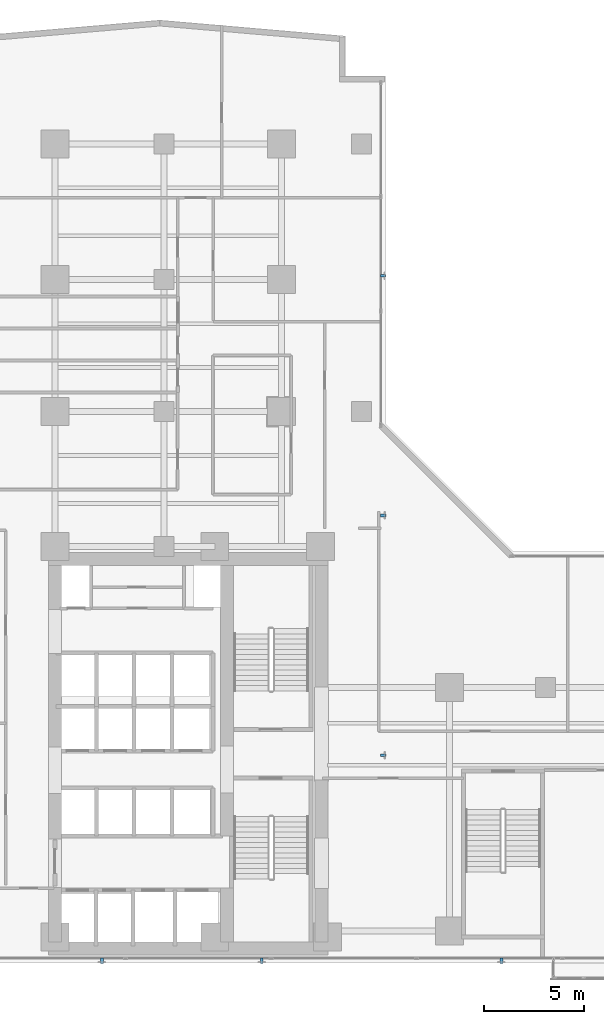
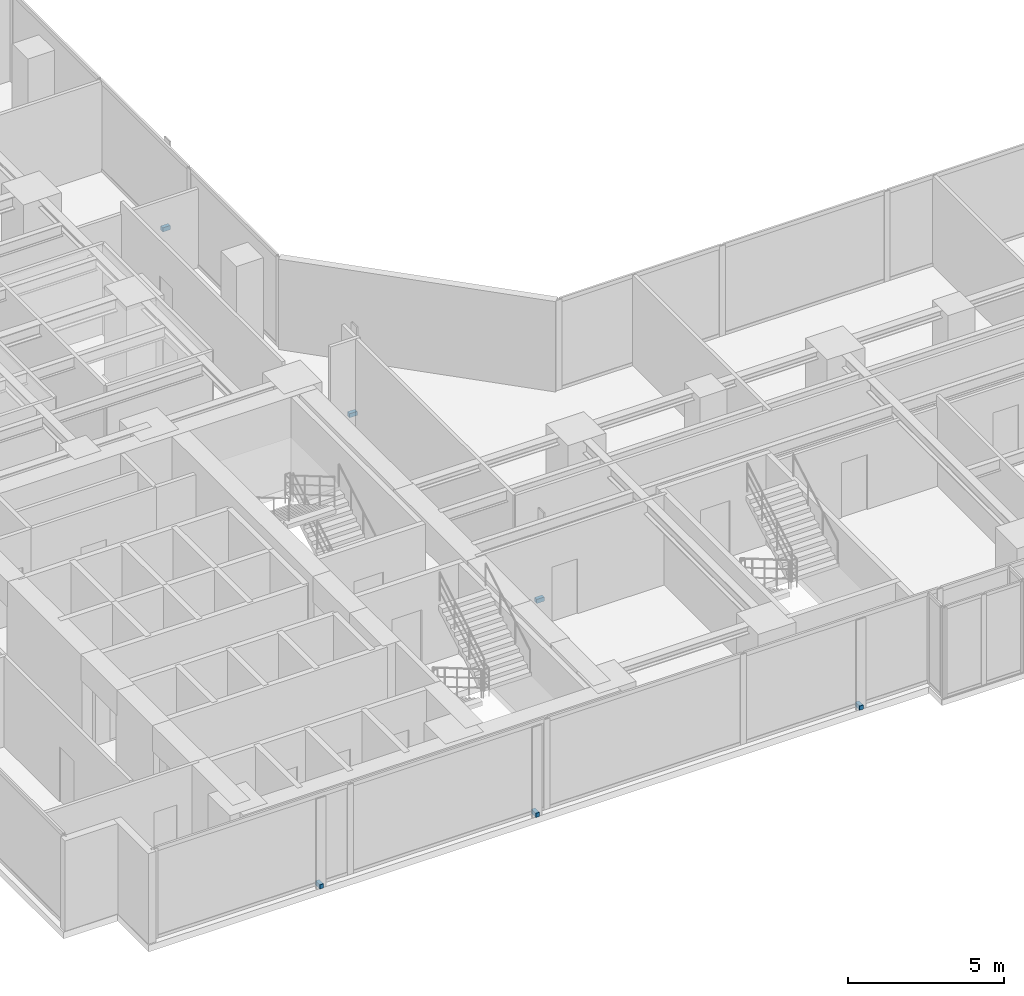
# One storey, part 24 of 28: 6 discrete accessories.
"""IFC4 building model written with IfcOpenShell, lengths in metres."""

import ifcopenshell
import ifcopenshell.guid

model = None  # the IFC model being written
_history = None  # IfcOwnerHistory: only IFC2X3 demands one
_inside = {}  # id of a spatial element -> (the spatial element, [elements in it])
_under = {}  # id of a project, library or spatial element -> (it, [spatial elements below it])
_declared = {}  # id of a project -> (the project, [libraries it declares])
_typed = {}  # id of a type object -> (the type object, [elements of that type])
_made_of = {}  # id of a material, layer set ... -> (it, [elements and type objects made of it])


def new_model(schema):
    """Start an empty IFC model of exactly this schema.

    Asked for "IFC4X3", IfcOpenShell would pick the latest addendum, in which some entities
    have other attributes; the version numbers below select the first issue.
    IFC2X3 requires an IfcOwnerHistory on every rooted entity: one is made here for all.
    """
    global model, _history
    if schema == "IFC4X3":
        model = ifcopenshell.file(schema_version=(4, 3, 0, 0))
    else:
        model = ifcopenshell.file(schema=schema)
    _inside.clear()
    _under.clear()
    _declared.clear()
    _typed.clear()
    _made_of.clear()
    _history = None
    if model.schema == "IFC2X3":
        org = make("IfcOrganization", Name="unknown")
        user = make(
            "IfcPersonAndOrganization",
            ThePerson=make("IfcPerson", FamilyName="unknown"),
            TheOrganization=org,
        )
        app = make(
            "IfcApplication",
            ApplicationDeveloper=org,
            Version="unknown",
            ApplicationFullName="unknown",
            ApplicationIdentifier="unknown",
        )
        _history = make(
            "IfcOwnerHistory",
            OwningUser=user,
            OwningApplication=app,
            ChangeAction="ADDED",
            CreationDate=0,
        )
    return model


def make(cls, **values):
    """One entity of the class cls with the attributes given. An attribute that is None is left unset."""
    return model.create_entity(
        cls, **{name: value for name, value in values.items() if value is not None}
    )


def rooted(cls, **values):
    """An entity with a GlobalId (a new one), such as an element, a storey or a relation."""
    return make(cls, GlobalId=ifcopenshell.guid.new(), OwnerHistory=_history, **values)


def si_unit(unit_type, name, prefix=None):
    """IfcSIUnit, for example si_unit("LENGTHUNIT", "METRE", prefix="MILLI")."""
    return make("IfcSIUnit", UnitType=unit_type, Prefix=prefix, Name=name)


def assignment(units):
    """IfcUnitAssignment: the units of a project."""
    return None if units is None else make("IfcUnitAssignment", Units=units)


def point(xyz):
    """IfcCartesianPoint."""
    return None if xyz is None else make("IfcCartesianPoint", Coordinates=xyz)


def direction(xyz):
    """IfcDirection."""
    return None if xyz is None else make("IfcDirection", DirectionRatios=xyz)


def frame(location, z_axis=None, x_axis=None):
    """IfcAxis2Placement3D, a coordinate frame: its origin and axes. An axis left out is left unset."""
    return make(
        "IfcAxis2Placement3D",
        Location=point(location),
        Axis=direction(z_axis),
        RefDirection=direction(x_axis),
    )


def frame_2d(location, x_axis=None):
    """IfcAxis2Placement2D, a coordinate frame in the plane: its origin and x axis."""
    return make(
        "IfcAxis2Placement2D", Location=point(location), RefDirection=direction(x_axis)
    )


def origin():
    """The frame at (0, 0, 0) with its axes left unset."""
    return frame((0.0, 0.0, 0.0))


def origin_with_axes():
    """The frame at (0, 0, 0) with the z axis (0, 0, 1) and the x axis (1, 0, 0) written out."""
    return frame((0.0, 0.0, 0.0), z_axis=(0.0, 0.0, 1.0), x_axis=(1.0, 0.0, 0.0))


def origin_2d():
    """The frame at (0, 0) in the plane with its x axis left unset."""
    return frame_2d((0.0, 0.0))


def place(relative_to, where):
    """IfcLocalPlacement: puts the frame where relative to a parent placement (None: the world)."""
    return make(
        "IfcLocalPlacement", PlacementRelTo=relative_to, RelativePlacement=where
    )


def context(
    kind, dimensions, precision=None, world=None, true_north=None, identifier=None
):
    """IfcGeometricRepresentationContext, for example the 3D "Model" context."""
    return make(
        "IfcGeometricRepresentationContext",
        ContextIdentifier=identifier,
        ContextType=kind,
        CoordinateSpaceDimension=dimensions,
        Precision=precision,
        WorldCoordinateSystem=world,
        TrueNorth=true_north,
    )


def subcontext(parent, identifier, kind, view, scale=None):
    """IfcGeometricRepresentationSubContext, for example "Body" below "Model"."""
    return make(
        "IfcGeometricRepresentationSubContext",
        ContextIdentifier=identifier,
        ContextType=kind,
        ParentContext=parent,
        TargetScale=scale,
        TargetView=view,
    )


def project(units=None, contexts=None):
    """IfcProject with its units and contexts."""
    return rooted(
        "IfcProject",
        Name="project",
        RepresentationContexts=contexts,
        UnitsInContext=assignment(units),
    )


def spatial(cls, under=None, at=None, **own):
    """A site, building, storey or space (cls), placed at a placement, below another one or the project."""
    s = rooted(cls, ObjectPlacement=at, **own)
    if under is not None:
        _under.setdefault(under.id(), (under, []))[1].append(s)
    return s


def profile(cls, at=None, kind="AREA", **sizes):
    """A parametric profile (cls). Its sizes go by their IFC names, for example OverallWidth=200.0."""
    return make(cls, ProfileType=kind, Position=at, **sizes)


def rectangle(**sizes):
    """IfcRectangleProfileDef."""
    return profile("IfcRectangleProfileDef", **sizes)


def extrude(swept, where, along, depth):
    """IfcExtrudedAreaSolid: the profile swept, set in the frame where, extruded along a direction by depth."""
    return make(
        "IfcExtrudedAreaSolid",
        SweptArea=swept,
        Position=where,
        ExtrudedDirection=direction(along),
        Depth=depth,
    )


def shape(context_of_items, identifier, shape_type, items):
    """IfcShapeRepresentation: the items that make up one representation, for example the "Body"."""
    return make(
        "IfcShapeRepresentation",
        ContextOfItems=context_of_items,
        RepresentationIdentifier=identifier,
        RepresentationType=shape_type,
        Items=items,
    )


def source(mapping_origin, context_of_items, identifier, shape_type, items):
    """IfcRepresentationMap: a shape defined once, which mapped items show again and again."""
    return make(
        "IfcRepresentationMap",
        MappingOrigin=mapping_origin,
        MappedRepresentation=shape(context_of_items, identifier, shape_type, items),
    )


def transform(
    local_origin,
    x_axis=None,
    y_axis=None,
    z_axis=None,
    scale=None,
    scale2=None,
    scale3=None,
    uniform=True,
):
    """IfcCartesianTransformationOperator3D, or its non-uniform kind. x_axis, y_axis, z_axis: its Axis1, 2, 3."""
    if uniform:
        return make(
            "IfcCartesianTransformationOperator3D",
            Axis1=direction(x_axis),
            Axis2=direction(y_axis),
            LocalOrigin=point(local_origin),
            Scale=scale,
            Axis3=direction(z_axis),
        )
    return make(
        "IfcCartesianTransformationOperator3DnonUniform",
        Axis1=direction(x_axis),
        Axis2=direction(y_axis),
        LocalOrigin=point(local_origin),
        Scale=scale,
        Axis3=direction(z_axis),
        Scale2=scale2,
        Scale3=scale3,
    )


def mapped(mapping_source, mapping_target):
    """IfcMappedItem: shows the shape of a source again, moved by a transform."""
    return make(
        "IfcMappedItem", MappingSource=mapping_source, MappingTarget=mapping_target
    )


def material(Name=None, Category=None):
    """IfcMaterial."""
    return make("IfcMaterial", Name=Name, Category=Category)


def made_of(thing, what):
    """Note that an element or type object is made of a material, layer set ...; save() writes the relation."""
    if what is not None:
        _made_of.setdefault(what.id(), (what, []))[1].append(thing)
    return thing


def type_object(cls, material=None, **own):
    """A type object (cls), such as IfcWallType, which elements share."""
    return made_of(rooted(cls, **own), material)


def element(
    cls,
    number,
    at=None,
    inside=None,
    cuts=None,
    type_object=None,
    material=None,
    context=None,
    identifier="Body",
    shape_type=None,
    held_by="IfcProductDefinitionShape",
    body=None,
    shapes=None,
    **own,
):
    """One element of the class cls, such as IfcWall. Its Tag is "e" and its number.

    at: its placement. inside: the storey or other place that contains it. cuts: it is an
    opening in that element (IfcRelVoidsElement). A single representation is given by context,
    identifier, shape_type and body (its items); several are given by shapes. held_by: the class
    of the entity that holds the representations. save() writes the other relations.
    """
    e = rooted(cls, Tag="e%d" % number, ObjectPlacement=at, **own)
    if body is not None:
        shapes = [shape(context, identifier, shape_type, body)]
    if shapes is not None:
        e.Representation = make(held_by, Representations=shapes)
    if inside is not None:
        _inside.setdefault(inside.id(), (inside, []))[1].append(e)
    if cuts is not None:
        rooted(
            "IfcRelVoidsElement", RelatingBuildingElement=cuts, RelatedOpeningElement=e
        )
    if type_object is not None:
        _typed.setdefault(type_object.id(), (type_object, []))[1].append(e)
    return made_of(e, material)


def aggregate(whole, parts):
    """IfcRelAggregates: a whole, such as a stair, and the parts it consists of."""
    return rooted("IfcRelAggregates", RelatingObject=whole, RelatedObjects=parts)


def save(model, path):
    """Write the relations noted so far, then the file.

    IfcRelAggregates (storeys below a building ...), IfcRelContainedInSpatialStructure (elements
    in a storey), IfcRelDefinesByType, IfcRelAssociatesMaterial and IfcRelDeclares: one each for
    every whole, place, type object, material and project.
    """
    for whole, parts in _under.values():
        aggregate(whole, parts)
    for where, things in _inside.values():
        rooted(
            "IfcRelContainedInSpatialStructure",
            RelatedElements=things,
            RelatingStructure=where,
        )
    for kind, things in _typed.values():
        rooted("IfcRelDefinesByType", RelatedObjects=things, RelatingType=kind)
    for what, things in _made_of.values():
        rooted("IfcRelAssociatesMaterial", RelatedObjects=things, RelatingMaterial=what)
    for by, libraries in _declared.values():
        rooted("IfcRelDeclares", RelatingContext=by, RelatedDefinitions=libraries)
    model.write(path)


model = new_model("IFC4")

# Units and contexts
model_context = context("Model", 3, precision=1e-05, world=origin(), true_north=direction((0.0, 1.0)))
body_context = subcontext(model_context, "Body", "Model", "MODEL_VIEW")
ifc_project = project(units=[si_unit("LENGTHUNIT", "METRE"), si_unit("AREAUNIT", "SQUARE_METRE"), si_unit("VOLUMEUNIT", "CUBIC_METRE"), si_unit("PLANEANGLEUNIT", "RADIAN"), si_unit("MASSUNIT", "GRAM", prefix="KILO")], contexts=[model_context])

# Site, building, storey
site_placement = place(None, origin())
site = spatial("IfcSite", under=ifc_project, at=site_placement, CompositionType="ELEMENT")
building_placement = place(site_placement, origin())
building = spatial("IfcBuilding", under=site, at=building_placement, Name="Kolvaren Waterfront Exchange", CompositionType="ELEMENT")
storey_placement = place(building_placement, frame((0.0, 0.0, 114.5)))
storey = spatial("IfcBuildingStorey", under=building, at=storey_placement, Name="L29", CompositionType="ELEMENT", Elevation=114.5)

# Discrete accessories
ifc_material = material(Name="Stainless steel 316", Category="steel")
discrete_accessory_type = type_object("IfcDiscreteAccessoryType", Name="ARC-BRK-FIN", PredefinedType="BRACKET", material=ifc_material)
shared_shape = source(origin_with_axes(), body_context, "Body", "SweptSolid", [
    extrude(rectangle(XDim=0.280029296875, YDim=0.139892578125, at=origin_2d()), origin(), (0.0, 0.0, 1.0), 0.159912109375),
])
for number, where, z_axis, x_axis, name in (
    (1, (9.800048828125, 3.719970703125, 0.0), (0.0, 0.0, 1.0), (0.0, -1.0, 0.0), "L29 bronze fin anchor bracket FIN-L29-S1"),
    (2, (17.800048828125, 3.719970703125, 0.0), (0.0, 0.0, 1.0), (0.0, -1.0, 0.0), "L29 bronze fin anchor bracket FIN-L29-S2"),
    (3, (29.800048828125, 3.719970703125, 0.0), (0.0, 0.0, 1.0), (0.0, -1.0, 0.0), "L29 bronze fin anchor bracket FIN-L29-S3"),
    (4, (23.8798828125, 14.0, 0.0), (0.0, 0.0, 1.0), (1.0, 0.0, 0.0), "L29 bronze fin anchor bracket FIN-L29-E1"),
    (5, (23.8798828125, 26.0, 0.0), (0.0, 0.0, 1.0), (1.0, 0.0, 0.0), "L29 bronze fin anchor bracket FIN-L29-E2"),
    (6, (23.8798828125, 38.0, 0.0), (0.0, 0.0, 1.0), (1.0, 0.0, 0.0), "L29 bronze fin anchor bracket FIN-L29-E3"),
):
    element("IfcDiscreteAccessory", number, at=place(storey_placement, frame(where, z_axis=z_axis, x_axis=x_axis)), inside=storey, type_object=discrete_accessory_type, Name=name, PredefinedType="BRACKET", context=body_context, shape_type="MappedRepresentation", body=[
        mapped(shared_shape, transform((0.0, 0.0, 0.0), x_axis=(1.0, 0.0, 0.0), y_axis=(0.0, 1.0, 0.0), z_axis=(0.0, 0.0, 1.0), scale=1.0)),
    ])

save(model, "model.ifc")
